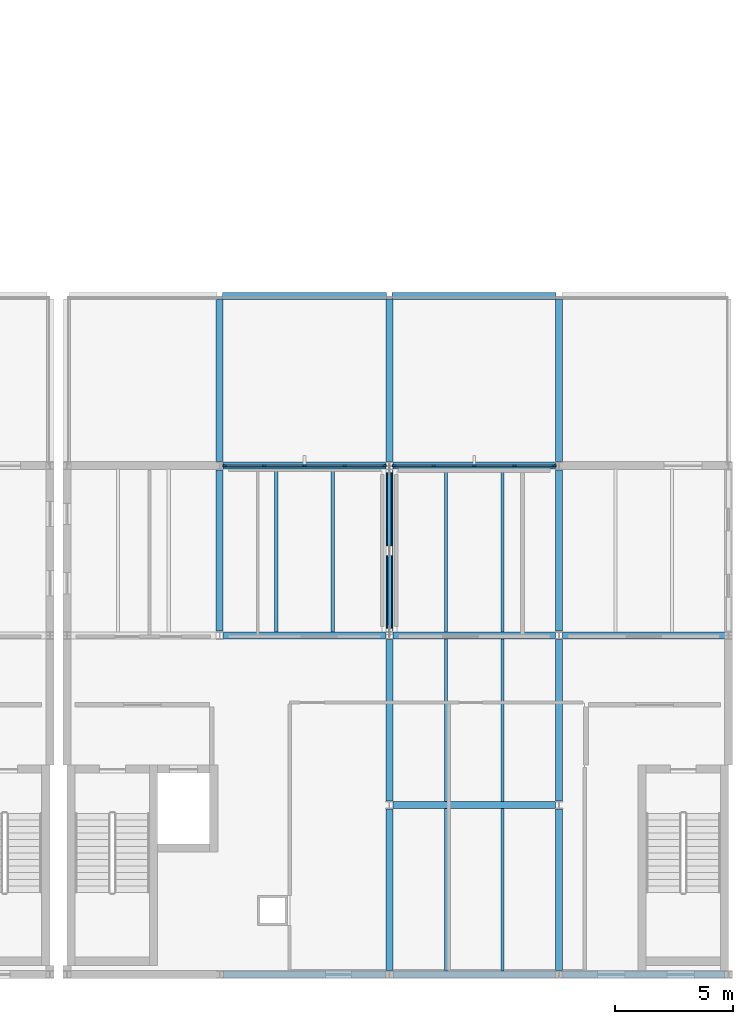
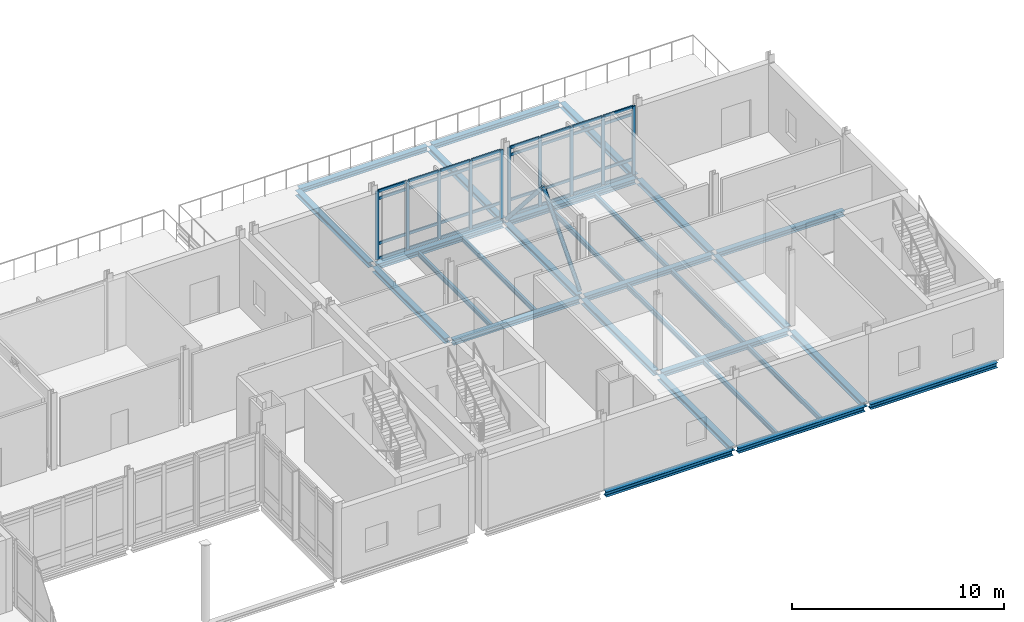
# One storey, part 16 of 53: 44 members, 29 beams, 2 elements without a shape of their own.
"""IFC4 building model written with IfcOpenShell, lengths in metres."""

from ifc_helpers import new_model, si_unit, direction, frame, origin, origin_2d, place, context, subcontext, project, spatial, rectangle, hollow_circle, i_section, extrude, material, layer, layer_set, material_profile, profile_set, type_object, element, aggregate, save


model = new_model("IFC4")

# Units and contexts
model_context = context("Model", 3, precision=1e-05, world=origin(), true_north=direction((0.0, 1.0)))
body_context = subcontext(model_context, "Body", "Model", "MODEL_VIEW")
ifc_project = project(units=[si_unit("LENGTHUNIT", "METRE"), si_unit("AREAUNIT", "SQUARE_METRE"), si_unit("VOLUMEUNIT", "CUBIC_METRE"), si_unit("PLANEANGLEUNIT", "RADIAN"), si_unit("MASSUNIT", "GRAM", prefix="KILO")], contexts=[model_context])

# Site, building, storey
site_placement = place(None, origin())
site = spatial("IfcSite", under=ifc_project, at=site_placement, CompositionType="ELEMENT")
building_placement = place(site_placement, origin())
building = spatial("IfcBuilding", under=site, at=building_placement, Name="Zarrinpeak Specialist Clinic", CompositionType="ELEMENT")
storey_placement = place(building_placement, frame((0.0, 0.0, 14.0)))
storey = spatial("IfcBuildingStorey", under=building, at=storey_placement, Name="L03", CompositionType="ELEMENT", Elevation=14.0)

# Beams
ifc_material_1 = material(Name="Steel S355", Category="steel")
ifc_material_profile_1 = material_profile(ifc_material_1, i_section(OverallWidth=0.300048828125, OverallDepth=0.2900390625, WebThickness=0.008544921875, FlangeThickness=0.013916015625, FilletRadius=0.027099609375, at=origin_2d()), Name="HEA 300")
ifc_profile_set_1 = profile_set([ifc_material_profile_1], Name="Steel S355")
beam_type_1 = type_object("IfcBeamType", Name="BM-HEA300", PredefinedType="BEAM", material=ifc_profile_set_1)
for number, where, z_axis, x_axis, name in (
    (1, (64.947998046875, 0.0, -0.344970703125), (1.0, 0.0, 0.0), (0.0, 1.0, 0.0), "L03 Primary Floor Girder BM-L03-X1495"),
    (2, (72.14794921875, 0.0, -0.344970703125), (1.0, 0.0, 0.0), (0.0, 1.0, 0.0), "L03 Primary Floor Girder BM-L03-X1496"),
    (3, (79.347900390625, 0.0, -0.344970703125), (1.0, 0.0, 0.0), (0.0, 1.0, 0.0), "L03 Primary Floor Girder BM-L03-X1497"),
    (4, (72.14794921875, 7.199951171875, -0.344970703125), (1.0, 0.0, 0.0), (0.0, 1.0, 0.0), "L03 Primary Floor Girder BM-L03-X1502"),
    (5, (64.947998046875, 14.39990234375, -0.344970703125), (1.0, 0.0, 0.0), (0.0, 1.0, 0.0), "L03 Primary Floor Girder BM-L03-X1510"),
    (6, (72.14794921875, 14.39990234375, -0.344970703125), (1.0, 0.0, 0.0), (0.0, 1.0, 0.0), "L03 Primary Floor Girder BM-L03-X1511"),
    (7, (79.347900390625, 14.39990234375, -0.344970703125), (1.0, 0.0, 0.0), (0.0, 1.0, 0.0), "L03 Primary Floor Girder BM-L03-X1512"),
    (8, (64.947998046875, 21.60009765625, -0.344970703125), (1.0, 0.0, 0.0), (0.0, 1.0, 0.0), "L03 Primary Floor Girder BM-L03-X1522"),
    (9, (72.14794921875, 21.60009765625, -0.344970703125), (1.0, 0.0, 0.0), (0.0, 1.0, 0.0), "L03 Primary Floor Girder BM-L03-X1523"),
):
    element("IfcBeam", number, at=place(storey_placement, frame(where, z_axis=z_axis, x_axis=x_axis)), inside=storey, type_object=beam_type_1, Name=name, PredefinedType="BEAM", context=body_context, shape_type="SweptSolid", body=[
        extrude(i_section(OverallWidth=0.300048828125, OverallDepth=0.2900390625, WebThickness=0.008544921875, FlangeThickness=0.013916015625, FilletRadius=0.027099609375, at=origin_2d()), origin(), (0.0, 0.0, 1.0), 6.904052734375),
    ])
for number, where, z_axis, x_axis, name in (
    (10, (64.91796875, 28.800048828125, -0.340087890625), (1.0, 0.0, 0.0), (0.0, 1.0, 0.0), "L03 Primary Floor Girder BM-L03-X1534"),
    (11, (72.117919921875, 28.800048828125, -0.340087890625), (1.0, 0.0, 0.0), (0.0, 1.0, 0.0), "L03 Primary Floor Girder BM-L03-X1535"),
):
    element("IfcBeam", number, at=place(storey_placement, frame(where, z_axis=z_axis, x_axis=x_axis)), inside=storey, type_object=beam_type_1, Name=name, PredefinedType="BEAM", context=body_context, shape_type="SweptSolid", body=[
        extrude(i_section(OverallWidth=0.300048828125, OverallDepth=0.2900390625, WebThickness=0.008544921875, FlangeThickness=0.013916015625, FilletRadius=0.027099609375, at=origin_2d()), origin(), (0.0, 0.0, 1.0), 6.964111328125),
    ])
beam_1_placement = place(storey_placement, frame((64.800048828125, 14.577880859375, -0.344970703125), z_axis=(0.0, 1.0, 0.0), x_axis=(-1.0, 0.0, 0.0)))
element("IfcBeam", 12, at=beam_1_placement, inside=storey, type_object=beam_type_1, Name="L03 Primary Beam BM-L03-Y1678", PredefinedType="BEAM", context=body_context, shape_type="SweptSolid", body=[
    extrude(i_section(OverallWidth=0.300048828125, OverallDepth=0.2900390625, WebThickness=0.008544921875, FlangeThickness=0.013916015625, FilletRadius=0.027099609375, at=origin_2d()), origin(), (0.0, 0.0, 1.0), 6.84423828125),
])
beam_2_placement = place(storey_placement, frame((64.800048828125, 21.778076171875, -0.340087890625), z_axis=(0.0, 1.0, 0.0), x_axis=(-1.0, 0.0, 0.0)))
element("IfcBeam", 13, at=beam_2_placement, inside=storey, type_object=beam_type_1, Name="L03 Primary Beam BM-L03-Y1679", PredefinedType="BEAM", context=body_context, shape_type="SweptSolid", body=[
    extrude(i_section(OverallWidth=0.300048828125, OverallDepth=0.2900390625, WebThickness=0.008544921875, FlangeThickness=0.013916015625, FilletRadius=0.027099609375, at=origin_2d()), origin(), (0.0, 0.0, 1.0), 6.90380859375),
])
for number, where, z_axis, x_axis, name in (
    (14, (72.0, 0.177978515625, -0.344970703125), (0.0, 1.0, 0.0), (-1.0, 0.0, 0.0), "L03 Primary Beam BM-L03-Y1683"),
    (15, (72.0, 7.3779296875, -0.344970703125), (0.0, 1.0, 0.0), (-1.0, 0.0, 0.0), "L03 Primary Beam BM-L03-Y1684"),
):
    element("IfcBeam", number, at=place(storey_placement, frame(where, z_axis=z_axis, x_axis=x_axis)), inside=storey, type_object=beam_type_1, Name=name, PredefinedType="BEAM", context=body_context, shape_type="SweptSolid", body=[
        extrude(i_section(OverallWidth=0.300048828125, OverallDepth=0.2900390625, WebThickness=0.008544921875, FlangeThickness=0.013916015625, FilletRadius=0.027099609375, at=origin_2d()), origin(), (0.0, 0.0, 1.0), 6.843994140625),
    ])
beam_3_placement = place(storey_placement, frame((72.0, 14.577880859375, -0.344970703125), z_axis=(0.0, 1.0, 0.0), x_axis=(-1.0, 0.0, 0.0)))
element("IfcBeam", 16, at=beam_3_placement, inside=storey, type_object=beam_type_1, Name="L03 Primary Beam BM-L03-Y1685", PredefinedType="BEAM", context=body_context, shape_type="SweptSolid", body=[
    extrude(i_section(OverallWidth=0.300048828125, OverallDepth=0.2900390625, WebThickness=0.008544921875, FlangeThickness=0.013916015625, FilletRadius=0.027099609375, at=origin_2d()), origin(), (0.0, 0.0, 1.0), 6.84423828125),
])
beam_4_placement = place(storey_placement, frame((72.0, 21.778076171875, -0.340087890625), z_axis=(0.0, 1.0, 0.0), x_axis=(-1.0, 0.0, 0.0)))
element("IfcBeam", 17, at=beam_4_placement, inside=storey, type_object=beam_type_1, Name="L03 Primary Beam BM-L03-Y1686", PredefinedType="BEAM", context=body_context, shape_type="SweptSolid", body=[
    extrude(i_section(OverallWidth=0.300048828125, OverallDepth=0.2900390625, WebThickness=0.008544921875, FlangeThickness=0.013916015625, FilletRadius=0.027099609375, at=origin_2d()), origin(), (0.0, 0.0, 1.0), 6.90380859375),
])
for number, where, z_axis, x_axis, name in (
    (18, (79.199951171875, 0.177978515625, -0.344970703125), (0.0, 1.0, 0.0), (-1.0, 0.0, 0.0), "L03 Primary Beam BM-L03-Y1687"),
    (19, (79.199951171875, 7.3779296875, -0.344970703125), (0.0, 1.0, 0.0), (-1.0, 0.0, 0.0), "L03 Primary Beam BM-L03-Y1688"),
):
    element("IfcBeam", number, at=place(storey_placement, frame(where, z_axis=z_axis, x_axis=x_axis)), inside=storey, type_object=beam_type_1, Name=name, PredefinedType="BEAM", context=body_context, shape_type="SweptSolid", body=[
        extrude(i_section(OverallWidth=0.300048828125, OverallDepth=0.2900390625, WebThickness=0.008544921875, FlangeThickness=0.013916015625, FilletRadius=0.027099609375, at=origin_2d()), origin(), (0.0, 0.0, 1.0), 6.843994140625),
    ])
beam_5_placement = place(storey_placement, frame((79.199951171875, 14.577880859375, -0.344970703125), z_axis=(0.0, 1.0, 0.0), x_axis=(-1.0, 0.0, 0.0)))
element("IfcBeam", 20, at=beam_5_placement, inside=storey, type_object=beam_type_1, Name="L03 Primary Beam BM-L03-Y1689", PredefinedType="BEAM", context=body_context, shape_type="SweptSolid", body=[
    extrude(i_section(OverallWidth=0.300048828125, OverallDepth=0.2900390625, WebThickness=0.008544921875, FlangeThickness=0.013916015625, FilletRadius=0.027099609375, at=origin_2d()), origin(), (0.0, 0.0, 1.0), 6.84423828125),
])
beam_6_placement = place(storey_placement, frame((79.199951171875, 21.778076171875, -0.340087890625), z_axis=(0.0, 1.0, 0.0), x_axis=(-1.0, 0.0, 0.0)))
element("IfcBeam", 21, at=beam_6_placement, inside=storey, type_object=beam_type_1, Name="L03 Primary Beam BM-L03-Y1690", PredefinedType="BEAM", context=body_context, shape_type="SweptSolid", body=[
    extrude(i_section(OverallWidth=0.300048828125, OverallDepth=0.2900390625, WebThickness=0.008544921875, FlangeThickness=0.013916015625, FilletRadius=0.027099609375, at=origin_2d()), origin(), (0.0, 0.0, 1.0), 6.90380859375),
])
ifc_material_profile_2 = material_profile(ifc_material_1, i_section(OverallWidth=0.135009765625, OverallDepth=0.27001953125, WebThickness=0.006591796875, FlangeThickness=0.01025390625, FilletRadius=0.014892578125, at=origin_2d()), Name="IPE 270")
ifc_profile_set_2 = profile_set([ifc_material_profile_2], Name="Steel S355")
beam_type_2 = type_object("IfcBeamType", Name="BM-JST270", PredefinedType="JOIST", material=ifc_profile_set_2)
for number, where, z_axis, x_axis, name in (
    (22, (67.199951171875, 14.548095703125, -0.3349609375), (0.0, 1.0, 0.0), (-1.0, 0.0, 0.0), "L03 Composite Floor Joist JST-L03-1751"),
    (23, (69.60009765625, 14.548095703125, -0.3349609375), (0.0, 1.0, 0.0), (-1.0, 0.0, 0.0), "L03 Composite Floor Joist JST-L03-1752"),
):
    element("IfcBeam", number, at=place(storey_placement, frame(where, z_axis=z_axis, x_axis=x_axis)), inside=storey, type_object=beam_type_2, Name=name, PredefinedType="JOIST", context=body_context, shape_type="SweptSolid", body=[
        extrude(i_section(OverallWidth=0.135009765625, OverallDepth=0.27001953125, WebThickness=0.006591796875, FlangeThickness=0.01025390625, FilletRadius=0.014892578125, at=origin_2d()), origin(), (0.0, 0.0, 1.0), 6.90380859375),
    ])
for number, where, z_axis, x_axis, name in (
    (24, (74.39990234375, 0.14794921875, -0.3349609375), (0.0, 1.0, 0.0), (-1.0, 0.0, 0.0), "L03 Composite Floor Joist JST-L03-1753"),
    (25, (76.800048828125, 0.14794921875, -0.3349609375), (0.0, 1.0, 0.0), (-1.0, 0.0, 0.0), "L03 Composite Floor Joist JST-L03-1754"),
    (26, (74.39990234375, 7.347900390625, -0.3349609375), (0.0, 1.0, 0.0), (-1.0, 0.0, 0.0), "L03 Composite Floor Joist JST-L03-1755"),
    (27, (76.800048828125, 7.347900390625, -0.3349609375), (0.0, 1.0, 0.0), (-1.0, 0.0, 0.0), "L03 Composite Floor Joist JST-L03-1756"),
):
    element("IfcBeam", number, at=place(storey_placement, frame(where, z_axis=z_axis, x_axis=x_axis)), inside=storey, type_object=beam_type_2, Name=name, PredefinedType="JOIST", context=body_context, shape_type="SweptSolid", body=[
        extrude(i_section(OverallWidth=0.135009765625, OverallDepth=0.27001953125, WebThickness=0.006591796875, FlangeThickness=0.01025390625, FilletRadius=0.014892578125, at=origin_2d()), origin(), (0.0, 0.0, 1.0), 6.904052734375),
    ])
for number, where, z_axis, x_axis, name in (
    (28, (74.39990234375, 14.548095703125, -0.3349609375), (0.0, 1.0, 0.0), (-1.0, 0.0, 0.0), "L03 Composite Floor Joist JST-L03-1757"),
    (29, (76.800048828125, 14.548095703125, -0.3349609375), (0.0, 1.0, 0.0), (-1.0, 0.0, 0.0), "L03 Composite Floor Joist JST-L03-1758"),
):
    element("IfcBeam", number, at=place(storey_placement, frame(where, z_axis=z_axis, x_axis=x_axis)), inside=storey, type_object=beam_type_2, Name=name, PredefinedType="JOIST", context=body_context, shape_type="SweptSolid", body=[
        extrude(i_section(OverallWidth=0.135009765625, OverallDepth=0.27001953125, WebThickness=0.006591796875, FlangeThickness=0.01025390625, FilletRadius=0.014892578125, at=origin_2d()), origin(), (0.0, 0.0, 1.0), 6.90380859375),
    ])

# Curtain wall, members
ifc_material_2 = material(Name="Anodised Aluminium Alloy 6063-T6", Category="aluminium")
ifc_layer = layer(ifc_material_2, 0.179931640625)
ifc_layer_set = layer_set([ifc_layer], Name="Anodised Aluminium Alloy 6063-T6")
curtain_wall_type = type_object("IfcCurtainWallType", Name="CW-COURT", PredefinedType="NOTDEFINED", material=ifc_layer_set)
curtain_wall_1_placement = place(storey_placement, origin())
curtain_wall_1 = element("IfcCurtainWall", 30, at=curtain_wall_1_placement, inside=storey, type_object=curtain_wall_type, Name="L03 V4 Unitised Curtain Wall CW-L03-V4-075", PredefinedType="NOTDEFINED")
ifc_material_profile_3 = material_profile(ifc_material_2, rectangle(XDim=0.074951171875, YDim=0.179931640625, at=origin_2d()), Name="ALU 75x180")
ifc_profile_set_3 = profile_set([ifc_material_profile_3], Name="Anodised Aluminium Alloy 6063-T6")
member_type_1 = type_object("IfcMemberType", Name="CWM-75", PredefinedType="MULLION", material=ifc_profile_set_3)
member_1_placement = place(storey_placement, frame((71.78759765625, 21.60009765625, 0.0), z_axis=(0.0, 0.0, 1.0), x_axis=(0.0, -1.0, 0.0)))
member_1 = element("IfcMember", 31, at=member_1_placement, type_object=member_type_1, Name="CW-01 mullion 1", PredefinedType="MULLION", context=body_context, shape_type="SweptSolid", body=[
    extrude(rectangle(XDim=0.074951171875, YDim=0.179931640625, at=origin_2d()), origin(), (0.0, 0.0, 1.0), 3.93505859375),
])
member_2_placement = place(storey_placement, frame((70.112548828125, 21.60009765625, 0.0), z_axis=(0.0, 0.0, 1.0), x_axis=(0.0, -1.0, 0.0)))
member_2 = element("IfcMember", 32, at=member_2_placement, type_object=member_type_1, Name="CW-01 mullion 2", PredefinedType="MULLION", context=body_context, shape_type="SweptSolid", body=[
    extrude(rectangle(XDim=0.074951171875, YDim=0.179931640625, at=origin_2d()), origin(), (0.0, 0.0, 1.0), 3.93505859375),
])
member_3_placement = place(storey_placement, frame((68.39990234375, 21.60009765625, 0.0), z_axis=(0.0, 0.0, 1.0), x_axis=(0.0, -1.0, 0.0)))
member_3 = element("IfcMember", 33, at=member_3_placement, type_object=member_type_1, Name="CW-01 mullion 3", PredefinedType="MULLION", context=body_context, shape_type="SweptSolid", body=[
    extrude(rectangle(XDim=0.074951171875, YDim=0.179931640625, at=origin_2d()), origin(), (0.0, 0.0, 1.0), 3.93505859375),
])
member_4_placement = place(storey_placement, frame((66.6875, 21.60009765625, 0.0), z_axis=(0.0, 0.0, 1.0), x_axis=(0.0, -1.0, 0.0)))
member_4 = element("IfcMember", 34, at=member_4_placement, type_object=member_type_1, Name="CW-01 mullion 4", PredefinedType="MULLION", context=body_context, shape_type="SweptSolid", body=[
    extrude(rectangle(XDim=0.074951171875, YDim=0.179931640625, at=origin_2d()), origin(), (0.0, 0.0, 1.0), 3.93505859375),
])
member_5_placement = place(storey_placement, frame((65.012451171875, 21.60009765625, 0.0), z_axis=(0.0, 0.0, 1.0), x_axis=(0.0, -1.0, 0.0)))
member_5 = element("IfcMember", 35, at=member_5_placement, type_object=member_type_1, Name="CW-01 mullion 5", PredefinedType="MULLION", context=body_context, shape_type="SweptSolid", body=[
    extrude(rectangle(XDim=0.074951171875, YDim=0.179931640625, at=origin_2d()), origin(), (0.0, 0.0, 1.0), 3.93505859375),
])

curtain_wall_2_placement = place(storey_placement, origin())
curtain_wall_2 = element("IfcCurtainWall", 36, at=curtain_wall_2_placement, inside=storey, type_object=curtain_wall_type, Name="L03 V4 Unitised Curtain Wall CW-L03-V4-076", PredefinedType="NOTDEFINED")
member_6_placement = place(storey_placement, frame((78.987548828125, 21.60009765625, 0.0), z_axis=(0.0, 0.0, 1.0), x_axis=(0.0, -1.0, 0.0)))
member_6 = element("IfcMember", 37, at=member_6_placement, type_object=member_type_1, Name="CW-01 mullion 1", PredefinedType="MULLION", context=body_context, shape_type="SweptSolid", body=[
    extrude(rectangle(XDim=0.074951171875, YDim=0.179931640625, at=origin_2d()), origin(), (0.0, 0.0, 1.0), 3.93505859375),
])
member_7_placement = place(storey_placement, frame((77.3125, 21.60009765625, 0.0), z_axis=(0.0, 0.0, 1.0), x_axis=(0.0, -1.0, 0.0)))
member_7 = element("IfcMember", 38, at=member_7_placement, type_object=member_type_1, Name="CW-01 mullion 2", PredefinedType="MULLION", context=body_context, shape_type="SweptSolid", body=[
    extrude(rectangle(XDim=0.074951171875, YDim=0.179931640625, at=origin_2d()), origin(), (0.0, 0.0, 1.0), 3.93505859375),
])
member_8_placement = place(storey_placement, frame((75.60009765625, 21.60009765625, 0.0), z_axis=(0.0, 0.0, 1.0), x_axis=(0.0, -1.0, 0.0)))
member_8 = element("IfcMember", 39, at=member_8_placement, type_object=member_type_1, Name="CW-01 mullion 3", PredefinedType="MULLION", context=body_context, shape_type="SweptSolid", body=[
    extrude(rectangle(XDim=0.074951171875, YDim=0.179931640625, at=origin_2d()), origin(), (0.0, 0.0, 1.0), 3.93505859375),
])
member_9_placement = place(storey_placement, frame((73.887451171875, 21.60009765625, 0.0), z_axis=(0.0, 0.0, 1.0), x_axis=(0.0, -1.0, 0.0)))
member_9 = element("IfcMember", 40, at=member_9_placement, type_object=member_type_1, Name="CW-01 mullion 4", PredefinedType="MULLION", context=body_context, shape_type="SweptSolid", body=[
    extrude(rectangle(XDim=0.074951171875, YDim=0.179931640625, at=origin_2d()), origin(), (0.0, 0.0, 1.0), 3.93505859375),
])
member_10_placement = place(storey_placement, frame((72.21240234375, 21.60009765625, 0.0), z_axis=(0.0, 0.0, 1.0), x_axis=(0.0, -1.0, 0.0)))
member_10 = element("IfcMember", 41, at=member_10_placement, type_object=member_type_1, Name="CW-01 mullion 5", PredefinedType="MULLION", context=body_context, shape_type="SweptSolid", body=[
    extrude(rectangle(XDim=0.074951171875, YDim=0.179931640625, at=origin_2d()), origin(), (0.0, 0.0, 1.0), 3.93505859375),
])

# Member
ifc_material_profile_4 = material_profile(ifc_material_2, rectangle(XDim=0.074951171875, YDim=0.159912109375, at=origin_2d()), Name="ALU 75x160")
ifc_profile_set_4 = profile_set([ifc_material_profile_4], Name="Anodised Aluminium Alloy 6063-T6")
member_type_2 = type_object("IfcMemberType", Name="CWT-75", PredefinedType="USERDEFINED", material=ifc_profile_set_4)
member_11_placement = place(storey_placement, frame((71.75, 21.60009765625, 0.03759765625), z_axis=(-1.0, 0.0, 0.0), x_axis=(0.0, -1.0, 0.0)))
member_11 = element("IfcMember", 42, at=member_11_placement, type_object=member_type_2, Name="CW-01 transom 1.1", ObjectType="TRANSOM", PredefinedType="USERDEFINED", context=body_context, shape_type="SweptSolid", body=[
    extrude(rectangle(XDim=0.074951171875, YDim=0.159912109375, at=origin_2d()), origin(), (0.0, 0.0, 1.0), 1.60009765625),
])

member_12_placement = place(storey_placement, frame((71.75, 21.60009765625, 0.89990234375), z_axis=(-1.0, 0.0, 0.0), x_axis=(0.0, -1.0, 0.0)))
member_12 = element("IfcMember", 43, at=member_12_placement, type_object=member_type_2, Name="CW-01 transom 1.2", ObjectType="TRANSOM", PredefinedType="USERDEFINED", context=body_context, shape_type="SweptSolid", body=[
    extrude(rectangle(XDim=0.074951171875, YDim=0.159912109375, at=origin_2d()), origin(), (0.0, 0.0, 1.0), 1.60009765625),
])

member_13_placement = place(storey_placement, frame((71.75, 21.60009765625, 3.485107421875), z_axis=(-1.0, 0.0, 0.0), x_axis=(0.0, -1.0, 0.0)))
member_13 = element("IfcMember", 44, at=member_13_placement, type_object=member_type_2, Name="CW-01 transom 1.3", ObjectType="TRANSOM", PredefinedType="USERDEFINED", context=body_context, shape_type="SweptSolid", body=[
    extrude(rectangle(XDim=0.074951171875, YDim=0.159912109375, at=origin_2d()), origin(), (0.0, 0.0, 1.0), 1.60009765625),
])

member_14_placement = place(storey_placement, frame((71.75, 21.60009765625, 3.8974609375), z_axis=(-1.0, 0.0, 0.0), x_axis=(0.0, -1.0, 0.0)))
member_14 = element("IfcMember", 45, at=member_14_placement, type_object=member_type_2, Name="CW-01 transom 1.4", ObjectType="TRANSOM", PredefinedType="USERDEFINED", context=body_context, shape_type="SweptSolid", body=[
    extrude(rectangle(XDim=0.074951171875, YDim=0.159912109375, at=origin_2d()), origin(), (0.0, 0.0, 1.0), 1.60009765625),
])

member_15_placement = place(storey_placement, frame((70.074951171875, 21.60009765625, 0.03759765625), z_axis=(-1.0, 0.0, 0.0), x_axis=(0.0, -1.0, 0.0)))
member_15 = element("IfcMember", 46, at=member_15_placement, type_object=member_type_2, Name="CW-01 transom 2.1", ObjectType="TRANSOM", PredefinedType="USERDEFINED", context=body_context, shape_type="SweptSolid", body=[
    extrude(rectangle(XDim=0.074951171875, YDim=0.159912109375, at=origin_2d()), origin(), (0.0, 0.0, 1.0), 1.637451171875),
])

member_16_placement = place(storey_placement, frame((70.074951171875, 21.60009765625, 0.89990234375), z_axis=(-1.0, 0.0, 0.0), x_axis=(0.0, -1.0, 0.0)))
member_16 = element("IfcMember", 47, at=member_16_placement, type_object=member_type_2, Name="CW-01 transom 2.2", ObjectType="TRANSOM", PredefinedType="USERDEFINED", context=body_context, shape_type="SweptSolid", body=[
    extrude(rectangle(XDim=0.074951171875, YDim=0.159912109375, at=origin_2d()), origin(), (0.0, 0.0, 1.0), 1.637451171875),
])

member_17_placement = place(storey_placement, frame((70.074951171875, 21.60009765625, 3.485107421875), z_axis=(-1.0, 0.0, 0.0), x_axis=(0.0, -1.0, 0.0)))
member_17 = element("IfcMember", 48, at=member_17_placement, type_object=member_type_2, Name="CW-01 transom 2.3", ObjectType="TRANSOM", PredefinedType="USERDEFINED", context=body_context, shape_type="SweptSolid", body=[
    extrude(rectangle(XDim=0.074951171875, YDim=0.159912109375, at=origin_2d()), origin(), (0.0, 0.0, 1.0), 1.637451171875),
])

member_18_placement = place(storey_placement, frame((70.074951171875, 21.60009765625, 3.8974609375), z_axis=(-1.0, 0.0, 0.0), x_axis=(0.0, -1.0, 0.0)))
member_18 = element("IfcMember", 49, at=member_18_placement, type_object=member_type_2, Name="CW-01 transom 2.4", ObjectType="TRANSOM", PredefinedType="USERDEFINED", context=body_context, shape_type="SweptSolid", body=[
    extrude(rectangle(XDim=0.074951171875, YDim=0.159912109375, at=origin_2d()), origin(), (0.0, 0.0, 1.0), 1.637451171875),
])

member_19_placement = place(storey_placement, frame((68.362548828125, 21.60009765625, 0.03759765625), z_axis=(-1.0, 0.0, 0.0), x_axis=(0.0, -1.0, 0.0)))
member_19 = element("IfcMember", 50, at=member_19_placement, type_object=member_type_2, Name="CW-01 transom 3.1", ObjectType="TRANSOM", PredefinedType="USERDEFINED", context=body_context, shape_type="SweptSolid", body=[
    extrude(rectangle(XDim=0.074951171875, YDim=0.159912109375, at=origin_2d()), origin(), (0.0, 0.0, 1.0), 1.637451171875),
])

member_20_placement = place(storey_placement, frame((68.362548828125, 21.60009765625, 0.89990234375), z_axis=(-1.0, 0.0, 0.0), x_axis=(0.0, -1.0, 0.0)))
member_20 = element("IfcMember", 51, at=member_20_placement, type_object=member_type_2, Name="CW-01 transom 3.2", ObjectType="TRANSOM", PredefinedType="USERDEFINED", context=body_context, shape_type="SweptSolid", body=[
    extrude(rectangle(XDim=0.074951171875, YDim=0.159912109375, at=origin_2d()), origin(), (0.0, 0.0, 1.0), 1.637451171875),
])

member_21_placement = place(storey_placement, frame((68.362548828125, 21.60009765625, 3.485107421875), z_axis=(-1.0, 0.0, 0.0), x_axis=(0.0, -1.0, 0.0)))
member_21 = element("IfcMember", 52, at=member_21_placement, type_object=member_type_2, Name="CW-01 transom 3.3", ObjectType="TRANSOM", PredefinedType="USERDEFINED", context=body_context, shape_type="SweptSolid", body=[
    extrude(rectangle(XDim=0.074951171875, YDim=0.159912109375, at=origin_2d()), origin(), (0.0, 0.0, 1.0), 1.637451171875),
])

member_22_placement = place(storey_placement, frame((68.362548828125, 21.60009765625, 3.8974609375), z_axis=(-1.0, 0.0, 0.0), x_axis=(0.0, -1.0, 0.0)))
member_22 = element("IfcMember", 53, at=member_22_placement, type_object=member_type_2, Name="CW-01 transom 3.4", ObjectType="TRANSOM", PredefinedType="USERDEFINED", context=body_context, shape_type="SweptSolid", body=[
    extrude(rectangle(XDim=0.074951171875, YDim=0.159912109375, at=origin_2d()), origin(), (0.0, 0.0, 1.0), 1.637451171875),
])

member_23_placement = place(storey_placement, frame((66.64990234375, 21.60009765625, 0.03759765625), z_axis=(-1.0, 0.0, 0.0), x_axis=(0.0, -1.0, 0.0)))
member_23 = element("IfcMember", 54, at=member_23_placement, type_object=member_type_2, Name="CW-01 transom 4.1", ObjectType="TRANSOM", PredefinedType="USERDEFINED", context=body_context, shape_type="SweptSolid", body=[
    extrude(rectangle(XDim=0.074951171875, YDim=0.159912109375, at=origin_2d()), origin(), (0.0, 0.0, 1.0), 1.599853515625),
])

member_24_placement = place(storey_placement, frame((66.64990234375, 21.60009765625, 0.89990234375), z_axis=(-1.0, 0.0, 0.0), x_axis=(0.0, -1.0, 0.0)))
member_24 = element("IfcMember", 55, at=member_24_placement, type_object=member_type_2, Name="CW-01 transom 4.2", ObjectType="TRANSOM", PredefinedType="USERDEFINED", context=body_context, shape_type="SweptSolid", body=[
    extrude(rectangle(XDim=0.074951171875, YDim=0.159912109375, at=origin_2d()), origin(), (0.0, 0.0, 1.0), 1.599853515625),
])

member_25_placement = place(storey_placement, frame((66.64990234375, 21.60009765625, 3.485107421875), z_axis=(-1.0, 0.0, 0.0), x_axis=(0.0, -1.0, 0.0)))
member_25 = element("IfcMember", 56, at=member_25_placement, type_object=member_type_2, Name="CW-01 transom 4.3", ObjectType="TRANSOM", PredefinedType="USERDEFINED", context=body_context, shape_type="SweptSolid", body=[
    extrude(rectangle(XDim=0.074951171875, YDim=0.159912109375, at=origin_2d()), origin(), (0.0, 0.0, 1.0), 1.599853515625),
])

member_26_placement = place(storey_placement, frame((66.64990234375, 21.60009765625, 3.8974609375), z_axis=(-1.0, 0.0, 0.0), x_axis=(0.0, -1.0, 0.0)))
member_26 = element("IfcMember", 57, at=member_26_placement, type_object=member_type_2, Name="CW-01 transom 4.4", ObjectType="TRANSOM", PredefinedType="USERDEFINED", context=body_context, shape_type="SweptSolid", body=[
    extrude(rectangle(XDim=0.074951171875, YDim=0.159912109375, at=origin_2d()), origin(), (0.0, 0.0, 1.0), 1.599853515625),
])

aggregate(curtain_wall_1, [member_1, member_2, member_3, member_4, member_5, member_11, member_12, member_13, member_14, member_15, member_16, member_17, member_18, member_19, member_20, member_21, member_22, member_23, member_24, member_25, member_26])

member_27_placement = place(storey_placement, frame((78.949951171875, 21.60009765625, 0.03759765625), z_axis=(-1.0, 0.0, 0.0), x_axis=(0.0, -1.0, 0.0)))
member_27 = element("IfcMember", 58, at=member_27_placement, type_object=member_type_2, Name="CW-01 transom 1.1", ObjectType="TRANSOM", PredefinedType="USERDEFINED", context=body_context, shape_type="SweptSolid", body=[
    extrude(rectangle(XDim=0.074951171875, YDim=0.159912109375, at=origin_2d()), origin(), (0.0, 0.0, 1.0), 1.599853515625),
])

member_28_placement = place(storey_placement, frame((78.949951171875, 21.60009765625, 0.89990234375), z_axis=(-1.0, 0.0, 0.0), x_axis=(0.0, -1.0, 0.0)))
member_28 = element("IfcMember", 59, at=member_28_placement, type_object=member_type_2, Name="CW-01 transom 1.2", ObjectType="TRANSOM", PredefinedType="USERDEFINED", context=body_context, shape_type="SweptSolid", body=[
    extrude(rectangle(XDim=0.074951171875, YDim=0.159912109375, at=origin_2d()), origin(), (0.0, 0.0, 1.0), 1.599853515625),
])

member_29_placement = place(storey_placement, frame((78.949951171875, 21.60009765625, 3.485107421875), z_axis=(-1.0, 0.0, 0.0), x_axis=(0.0, -1.0, 0.0)))
member_29 = element("IfcMember", 60, at=member_29_placement, type_object=member_type_2, Name="CW-01 transom 1.3", ObjectType="TRANSOM", PredefinedType="USERDEFINED", context=body_context, shape_type="SweptSolid", body=[
    extrude(rectangle(XDim=0.074951171875, YDim=0.159912109375, at=origin_2d()), origin(), (0.0, 0.0, 1.0), 1.599853515625),
])

member_30_placement = place(storey_placement, frame((78.949951171875, 21.60009765625, 3.8974609375), z_axis=(-1.0, 0.0, 0.0), x_axis=(0.0, -1.0, 0.0)))
member_30 = element("IfcMember", 61, at=member_30_placement, type_object=member_type_2, Name="CW-01 transom 1.4", ObjectType="TRANSOM", PredefinedType="USERDEFINED", context=body_context, shape_type="SweptSolid", body=[
    extrude(rectangle(XDim=0.074951171875, YDim=0.159912109375, at=origin_2d()), origin(), (0.0, 0.0, 1.0), 1.599853515625),
])

member_31_placement = place(storey_placement, frame((77.27490234375, 21.60009765625, 0.03759765625), z_axis=(-1.0, 0.0, 0.0), x_axis=(0.0, -1.0, 0.0)))
member_31 = element("IfcMember", 62, at=member_31_placement, type_object=member_type_2, Name="CW-01 transom 2.1", ObjectType="TRANSOM", PredefinedType="USERDEFINED", context=body_context, shape_type="SweptSolid", body=[
    extrude(rectangle(XDim=0.074951171875, YDim=0.159912109375, at=origin_2d()), origin(), (0.0, 0.0, 1.0), 1.637451171875),
])

member_32_placement = place(storey_placement, frame((77.27490234375, 21.60009765625, 0.89990234375), z_axis=(-1.0, 0.0, 0.0), x_axis=(0.0, -1.0, 0.0)))
member_32 = element("IfcMember", 63, at=member_32_placement, type_object=member_type_2, Name="CW-01 transom 2.2", ObjectType="TRANSOM", PredefinedType="USERDEFINED", context=body_context, shape_type="SweptSolid", body=[
    extrude(rectangle(XDim=0.074951171875, YDim=0.159912109375, at=origin_2d()), origin(), (0.0, 0.0, 1.0), 1.637451171875),
])

member_33_placement = place(storey_placement, frame((77.27490234375, 21.60009765625, 3.485107421875), z_axis=(-1.0, 0.0, 0.0), x_axis=(0.0, -1.0, 0.0)))
member_33 = element("IfcMember", 64, at=member_33_placement, type_object=member_type_2, Name="CW-01 transom 2.3", ObjectType="TRANSOM", PredefinedType="USERDEFINED", context=body_context, shape_type="SweptSolid", body=[
    extrude(rectangle(XDim=0.074951171875, YDim=0.159912109375, at=origin_2d()), origin(), (0.0, 0.0, 1.0), 1.637451171875),
])

member_34_placement = place(storey_placement, frame((77.27490234375, 21.60009765625, 3.8974609375), z_axis=(-1.0, 0.0, 0.0), x_axis=(0.0, -1.0, 0.0)))
member_34 = element("IfcMember", 65, at=member_34_placement, type_object=member_type_2, Name="CW-01 transom 2.4", ObjectType="TRANSOM", PredefinedType="USERDEFINED", context=body_context, shape_type="SweptSolid", body=[
    extrude(rectangle(XDim=0.074951171875, YDim=0.159912109375, at=origin_2d()), origin(), (0.0, 0.0, 1.0), 1.637451171875),
])

member_35_placement = place(storey_placement, frame((75.5625, 21.60009765625, 0.03759765625), z_axis=(-1.0, 0.0, 0.0), x_axis=(0.0, -1.0, 0.0)))
member_35 = element("IfcMember", 66, at=member_35_placement, type_object=member_type_2, Name="CW-01 transom 3.1", ObjectType="TRANSOM", PredefinedType="USERDEFINED", context=body_context, shape_type="SweptSolid", body=[
    extrude(rectangle(XDim=0.074951171875, YDim=0.159912109375, at=origin_2d()), origin(), (0.0, 0.0, 1.0), 1.637451171875),
])

member_36_placement = place(storey_placement, frame((75.5625, 21.60009765625, 0.89990234375), z_axis=(-1.0, 0.0, 0.0), x_axis=(0.0, -1.0, 0.0)))
member_36 = element("IfcMember", 67, at=member_36_placement, type_object=member_type_2, Name="CW-01 transom 3.2", ObjectType="TRANSOM", PredefinedType="USERDEFINED", context=body_context, shape_type="SweptSolid", body=[
    extrude(rectangle(XDim=0.074951171875, YDim=0.159912109375, at=origin_2d()), origin(), (0.0, 0.0, 1.0), 1.637451171875),
])

member_37_placement = place(storey_placement, frame((75.5625, 21.60009765625, 3.485107421875), z_axis=(-1.0, 0.0, 0.0), x_axis=(0.0, -1.0, 0.0)))
member_37 = element("IfcMember", 68, at=member_37_placement, type_object=member_type_2, Name="CW-01 transom 3.3", ObjectType="TRANSOM", PredefinedType="USERDEFINED", context=body_context, shape_type="SweptSolid", body=[
    extrude(rectangle(XDim=0.074951171875, YDim=0.159912109375, at=origin_2d()), origin(), (0.0, 0.0, 1.0), 1.637451171875),
])

member_38_placement = place(storey_placement, frame((75.5625, 21.60009765625, 3.8974609375), z_axis=(-1.0, 0.0, 0.0), x_axis=(0.0, -1.0, 0.0)))
member_38 = element("IfcMember", 69, at=member_38_placement, type_object=member_type_2, Name="CW-01 transom 3.4", ObjectType="TRANSOM", PredefinedType="USERDEFINED", context=body_context, shape_type="SweptSolid", body=[
    extrude(rectangle(XDim=0.074951171875, YDim=0.159912109375, at=origin_2d()), origin(), (0.0, 0.0, 1.0), 1.637451171875),
])

member_39_placement = place(storey_placement, frame((73.85009765625, 21.60009765625, 0.03759765625), z_axis=(-1.0, 0.0, 0.0), x_axis=(0.0, -1.0, 0.0)))
member_39 = element("IfcMember", 70, at=member_39_placement, type_object=member_type_2, Name="CW-01 transom 4.1", ObjectType="TRANSOM", PredefinedType="USERDEFINED", context=body_context, shape_type="SweptSolid", body=[
    extrude(rectangle(XDim=0.074951171875, YDim=0.159912109375, at=origin_2d()), origin(), (0.0, 0.0, 1.0), 1.60009765625),
])

member_40_placement = place(storey_placement, frame((73.85009765625, 21.60009765625, 0.89990234375), z_axis=(-1.0, 0.0, 0.0), x_axis=(0.0, -1.0, 0.0)))
member_40 = element("IfcMember", 71, at=member_40_placement, type_object=member_type_2, Name="CW-01 transom 4.2", ObjectType="TRANSOM", PredefinedType="USERDEFINED", context=body_context, shape_type="SweptSolid", body=[
    extrude(rectangle(XDim=0.074951171875, YDim=0.159912109375, at=origin_2d()), origin(), (0.0, 0.0, 1.0), 1.60009765625),
])

member_41_placement = place(storey_placement, frame((73.85009765625, 21.60009765625, 3.485107421875), z_axis=(-1.0, 0.0, 0.0), x_axis=(0.0, -1.0, 0.0)))
member_41 = element("IfcMember", 72, at=member_41_placement, type_object=member_type_2, Name="CW-01 transom 4.3", ObjectType="TRANSOM", PredefinedType="USERDEFINED", context=body_context, shape_type="SweptSolid", body=[
    extrude(rectangle(XDim=0.074951171875, YDim=0.159912109375, at=origin_2d()), origin(), (0.0, 0.0, 1.0), 1.60009765625),
])

member_42_placement = place(storey_placement, frame((73.85009765625, 21.60009765625, 3.8974609375), z_axis=(-1.0, 0.0, 0.0), x_axis=(0.0, -1.0, 0.0)))
member_42 = element("IfcMember", 73, at=member_42_placement, type_object=member_type_2, Name="CW-01 transom 4.4", ObjectType="TRANSOM", PredefinedType="USERDEFINED", context=body_context, shape_type="SweptSolid", body=[
    extrude(rectangle(XDim=0.074951171875, YDim=0.159912109375, at=origin_2d()), origin(), (0.0, 0.0, 1.0), 1.60009765625),
])

aggregate(curtain_wall_2, [member_6, member_7, member_8, member_9, member_10, member_27, member_28, member_29, member_30, member_31, member_32, member_33, member_34, member_35, member_36, member_37, member_38, member_39, member_40, member_41, member_42])

# Members
ifc_material_profile_5 = material_profile(ifc_material_1, hollow_circle(Radius=0.109619140625, WallThickness=0.010009765625, at=origin_2d()), Name="CHS 219.1x10.0")
ifc_profile_set_5 = profile_set([ifc_material_profile_5], Name="Steel S355")
member_type_3 = type_object("IfcMemberType", Name="MB-BR219", PredefinedType="BRACE", material=ifc_profile_set_5)
for number, where, z_axis, x_axis, name in (
    (74, (72.0, 14.56005859375, 0.0048828125), (0.0, 0.661008531114, 0.750378385746), (-1.0, 0.0, 0.0), "V4 L03 Seismic Concentric Brace CBF-031"),
    (75, (72.0, 21.43994140625, 0.0048828125), (0.0, -0.661008531114, 0.750378385746), (1.0, 0.0, 0.0), "V4 L03 Seismic Concentric Brace CBF-032"),
):
    element("IfcMember", number, at=place(storey_placement, frame(where, z_axis=z_axis, x_axis=x_axis)), inside=storey, type_object=member_type_3, Name=name, PredefinedType="BRACE", context=body_context, shape_type="SweptSolid", body=[
        extrude(hollow_circle(Radius=0.109619140625, WallThickness=0.010009765625, at=origin_2d()), origin(), (0.0, 0.0, 1.0), 5.2041015625),
    ])

save(model, "model.ifc")
